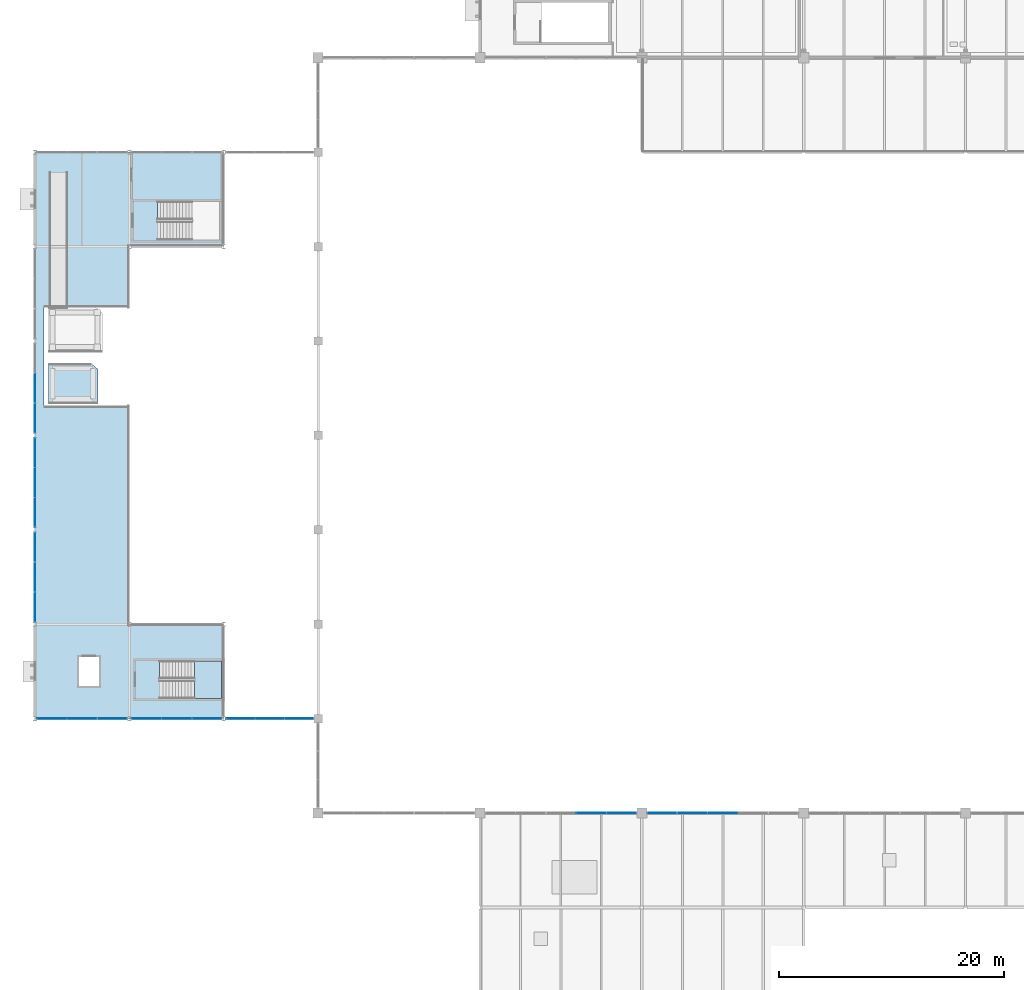
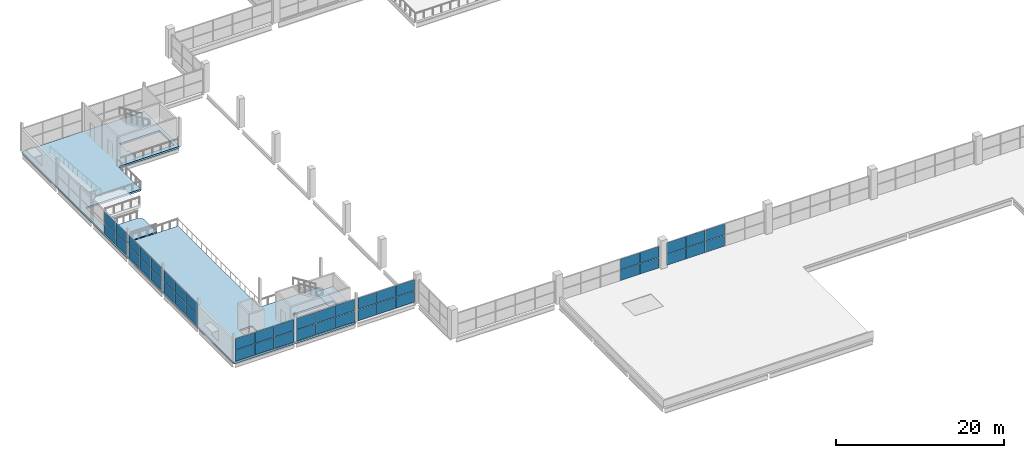
# One storey, part 69 of 93: 44 plates, 3 slabs, 9 elements without a shape of their own.
"""IFC4 building model written with IfcOpenShell, lengths in metres."""

from ifc_helpers import new_model, si_unit, direction, frame, origin, origin_2d, place, context, subcontext, project, spatial, polyline, rectangle, outline, extrude, material, layer, layer_set, type_object, element, aggregate, save


model = new_model("IFC4")

# Units and contexts
model_context = context("Model", 3, precision=1e-05, world=origin(), true_north=direction((0.0, 1.0)))
body_context = subcontext(model_context, "Body", "Model", "MODEL_VIEW")
ifc_project = project(units=[si_unit("LENGTHUNIT", "METRE"), si_unit("AREAUNIT", "SQUARE_METRE"), si_unit("VOLUMEUNIT", "CUBIC_METRE"), si_unit("PLANEANGLEUNIT", "RADIAN"), si_unit("MASSUNIT", "GRAM", prefix="KILO"), si_unit("THERMODYNAMICTEMPERATUREUNIT", "KELVIN")], contexts=[model_context])

# Site, building, storey
site_placement = place(None, origin())
site = spatial("IfcSite", under=ifc_project, at=site_placement, CompositionType="ELEMENT")
building_placement = place(site_placement, origin())
building = spatial("IfcBuilding", under=site, at=building_placement, Name="Nduvali Passage Aquatics Centre", CompositionType="ELEMENT")
storey_placement = place(building_placement, frame((0.0, 0.0, 9.0)))
storey = spatial("IfcBuildingStorey", under=building, at=storey_placement, Name="L02", CompositionType="ELEMENT", Elevation=9.0)

# Curtain wall, plates
ifc_material_1 = material(Name="Aluminium EN AW-6063 T6", Category="aluminium")
curtain_wall_type_1 = type_object("IfcCurtainWallType", Name="ENV-CW-CLER", PredefinedType="NOTDEFINED", material=ifc_material_1)
curtain_wall_1_placement = place(storey_placement, origin())
curtain_wall_1 = element("IfcCurtainWall", 1, at=curtain_wall_1_placement, inside=storey, type_object=curtain_wall_type_1, Name="L02 South Pool Hall Eave Clerestory 047", PredefinedType="NOTDEFINED")
ifc_material_2 = material(Name="Laminated solar-control low-E IGU")
ifc_layer_1 = layer(ifc_material_2, 0.031982421875, Name="Laminated solar-control low-E IGU")
ifc_layer_set_1 = layer_set([ifc_layer_1], Name="Laminated solar-control low-E IGU")
plate_type = type_object("IfcPlateType", Name="ENV-PLT-GLZ32", PredefinedType="CURTAIN_PANEL", material=ifc_layer_set_1)
plate_1_placement = place(storey_placement, frame((49.5, 25.199951171875, 0.06005859375), z_axis=(0.0, 0.0, 1.0), x_axis=(1.0, 0.0, 0.0)))
plate_1 = element("IfcPlate", 2, at=plate_1_placement, type_object=plate_type, Name="South Pool Hall Eave Clerestory Glazed Panel B4-R1", PredefinedType="CURTAIN_PANEL", context=body_context, shape_type="SweptSolid", body=[
    extrude(rectangle(XDim=2.639892578125, YDim=0.031982421875, at=origin_2d()), origin(), (0.0, 0.0, 1.0), 1.541259765625),
])
plate_2_placement = place(storey_placement, frame((49.5, 25.199951171875, 1.6611328125), z_axis=(0.0, 0.0, 1.0), x_axis=(1.0, 0.0, 0.0)))
plate_2 = element("IfcPlate", 3, at=plate_2_placement, type_object=plate_type, Name="South Pool Hall Eave Clerestory Glazed Panel B4-R2", PredefinedType="CURTAIN_PANEL", context=body_context, shape_type="SweptSolid", body=[
    extrude(rectangle(XDim=2.639892578125, YDim=0.031982421875, at=origin_2d()), origin(), (0.0, 0.0, 1.0), 1.541259765625),
])
plate_3_placement = place(storey_placement, frame((52.18505859375, 25.199951171875, 0.06005859375), z_axis=(0.0, 0.0, 1.0), x_axis=(1.0, 0.0, 0.0)))
plate_3 = element("IfcPlate", 4, at=plate_3_placement, type_object=plate_type, Name="South Pool Hall Eave Clerestory Glazed Panel B5-R1", PredefinedType="CURTAIN_PANEL", context=body_context, shape_type="SweptSolid", body=[
    extrude(rectangle(XDim=2.610107421875, YDim=0.031982421875, at=origin_2d()), origin(), (0.0, 0.0, 1.0), 1.541259765625),
])
plate_4_placement = place(storey_placement, frame((52.18505859375, 25.199951171875, 1.6611328125), z_axis=(0.0, 0.0, 1.0), x_axis=(1.0, 0.0, 0.0)))
plate_4 = element("IfcPlate", 5, at=plate_4_placement, type_object=plate_type, Name="South Pool Hall Eave Clerestory Glazed Panel B5-R2", PredefinedType="CURTAIN_PANEL", context=body_context, shape_type="SweptSolid", body=[
    extrude(rectangle(XDim=2.610107421875, YDim=0.031982421875, at=origin_2d()), origin(), (0.0, 0.0, 1.0), 1.541259765625),
])
aggregate(curtain_wall_1, [plate_1, plate_2, plate_3, plate_4])

curtain_wall_2_placement = place(storey_placement, origin())
curtain_wall_2 = element("IfcCurtainWall", 6, at=curtain_wall_2_placement, inside=storey, type_object=curtain_wall_type_1, Name="L02 South Pool Hall Eave Clerestory 048", PredefinedType="NOTDEFINED")
plate_5_placement = place(storey_placement, frame((55.81494140625, 25.199951171875, 0.06005859375), z_axis=(0.0, 0.0, 1.0), x_axis=(1.0, 0.0, 0.0)))
plate_5 = element("IfcPlate", 7, at=plate_5_placement, type_object=plate_type, Name="South Pool Hall Eave Clerestory Glazed Panel B1-R1", PredefinedType="CURTAIN_PANEL", context=body_context, shape_type="SweptSolid", body=[
    extrude(rectangle(XDim=2.610107421875, YDim=0.031982421875, at=origin_2d()), origin(), (0.0, 0.0, 1.0), 1.60693359375),
])
plate_6_placement = place(storey_placement, frame((55.81494140625, 25.199951171875, 1.72705078125), z_axis=(0.0, 0.0, 1.0), x_axis=(1.0, 0.0, 0.0)))
plate_6 = element("IfcPlate", 8, at=plate_6_placement, type_object=plate_type, Name="South Pool Hall Eave Clerestory Glazed Panel B1-R2", PredefinedType="CURTAIN_PANEL", context=body_context, shape_type="SweptSolid", body=[
    extrude(rectangle(XDim=2.610107421875, YDim=0.031982421875, at=origin_2d()), origin(), (0.0, 0.0, 1.0), 1.60693359375),
])
plate_7_placement = place(storey_placement, frame((58.5, 25.199951171875, 0.06005859375), z_axis=(0.0, 0.0, 1.0), x_axis=(1.0, 0.0, 0.0)))
plate_7 = element("IfcPlate", 9, at=plate_7_placement, type_object=plate_type, Name="South Pool Hall Eave Clerestory Glazed Panel B2-R1", PredefinedType="CURTAIN_PANEL", context=body_context, shape_type="SweptSolid", body=[
    extrude(rectangle(XDim=2.639892578125, YDim=0.031982421875, at=origin_2d()), origin(), (0.0, 0.0, 1.0), 1.60693359375),
])
plate_8_placement = place(storey_placement, frame((58.5, 25.199951171875, 1.72705078125), z_axis=(0.0, 0.0, 1.0), x_axis=(1.0, 0.0, 0.0)))
plate_8 = element("IfcPlate", 10, at=plate_8_placement, type_object=plate_type, Name="South Pool Hall Eave Clerestory Glazed Panel B2-R2", PredefinedType="CURTAIN_PANEL", context=body_context, shape_type="SweptSolid", body=[
    extrude(rectangle(XDim=2.639892578125, YDim=0.031982421875, at=origin_2d()), origin(), (0.0, 0.0, 1.0), 1.60693359375),
])
plate_9_placement = place(storey_placement, frame((61.199951171875, 25.199951171875, 0.06005859375), z_axis=(0.0, 0.0, 1.0), x_axis=(1.0, 0.0, 0.0)))
plate_9 = element("IfcPlate", 11, at=plate_9_placement, type_object=plate_type, Name="South Pool Hall Eave Clerestory Glazed Panel B3-R1", PredefinedType="CURTAIN_PANEL", context=body_context, shape_type="SweptSolid", body=[
    extrude(rectangle(XDim=2.639892578125, YDim=0.031982421875, at=origin_2d()), origin(), (0.0, 0.0, 1.0), 1.60693359375),
])
plate_10_placement = place(storey_placement, frame((61.199951171875, 25.199951171875, 1.72705078125), z_axis=(0.0, 0.0, 1.0), x_axis=(1.0, 0.0, 0.0)))
plate_10 = element("IfcPlate", 12, at=plate_10_placement, type_object=plate_type, Name="South Pool Hall Eave Clerestory Glazed Panel B3-R2", PredefinedType="CURTAIN_PANEL", context=body_context, shape_type="SweptSolid", body=[
    extrude(rectangle(XDim=2.639892578125, YDim=0.031982421875, at=origin_2d()), origin(), (0.0, 0.0, 1.0), 1.60693359375),
])
aggregate(curtain_wall_2, [plate_5, plate_6, plate_7, plate_8, plate_9, plate_10])

curtain_wall_type_2 = type_object("IfcCurtainWallType", Name="ENV-CW-DIVE", PredefinedType="NOTDEFINED", material=ifc_material_1)
curtain_wall_3_placement = place(storey_placement, origin())
curtain_wall_3 = element("IfcCurtainWall", 13, at=curtain_wall_3_placement, inside=storey, type_object=curtain_wall_type_2, Name="L02 West Diving High Platform CW 129", PredefinedType="NOTDEFINED")
plate_11_placement = place(storey_placement, frame((0.0, 43.523193359375, 0.06005859375), z_axis=(0.0, 0.0, 1.0), x_axis=(0.0, 1.0, 0.0)))
plate_11 = element("IfcPlate", 14, at=plate_11_placement, type_object=plate_type, Name="West Diving High Platform CW Glazed Panel B1-R1", PredefinedType="CURTAIN_PANEL", context=body_context, shape_type="SweptSolid", body=[
    extrude(rectangle(XDim=2.586669921875, YDim=0.031982421875, at=origin_2d()), origin(), (0.0, 0.0, 1.0), 1.61328125),
])
plate_12_placement = place(storey_placement, frame((0.0, 43.523193359375, 1.733154296875), z_axis=(0.0, 0.0, 1.0), x_axis=(0.0, 1.0, 0.0)))
plate_12 = element("IfcPlate", 15, at=plate_12_placement, type_object=plate_type, Name="West Diving High Platform CW Glazed Panel B1-R2", PredefinedType="CURTAIN_PANEL", context=body_context, shape_type="SweptSolid", body=[
    extrude(rectangle(XDim=2.586669921875, YDim=0.031982421875, at=origin_2d()), origin(), (0.0, 0.0, 1.0), 1.61328125),
])
plate_13_placement = place(storey_placement, frame((0.0, 46.18505859375, 0.06005859375), z_axis=(0.0, 0.0, 1.0), x_axis=(0.0, 1.0, 0.0)))
plate_13 = element("IfcPlate", 16, at=plate_13_placement, type_object=plate_type, Name="West Diving High Platform CW Glazed Panel B2-R1", PredefinedType="CURTAIN_PANEL", context=body_context, shape_type="SweptSolid", body=[
    extrude(rectangle(XDim=2.61669921875, YDim=0.031982421875, at=origin_2d()), origin(), (0.0, 0.0, 1.0), 1.61328125),
])
plate_14_placement = place(storey_placement, frame((0.0, 46.18505859375, 1.733154296875), z_axis=(0.0, 0.0, 1.0), x_axis=(0.0, 1.0, 0.0)))
plate_14 = element("IfcPlate", 17, at=plate_14_placement, type_object=plate_type, Name="West Diving High Platform CW Glazed Panel B2-R2", PredefinedType="CURTAIN_PANEL", context=body_context, shape_type="SweptSolid", body=[
    extrude(rectangle(XDim=2.61669921875, YDim=0.031982421875, at=origin_2d()), origin(), (0.0, 0.0, 1.0), 1.61328125),
])
plate_15_placement = place(storey_placement, frame((0.0, 48.8466796875, 0.06005859375), z_axis=(0.0, 0.0, 1.0), x_axis=(0.0, 1.0, 0.0)))
plate_15 = element("IfcPlate", 18, at=plate_15_placement, type_object=plate_type, Name="West Diving High Platform CW Glazed Panel B3-R1", PredefinedType="CURTAIN_PANEL", context=body_context, shape_type="SweptSolid", body=[
    extrude(rectangle(XDim=2.586669921875, YDim=0.031982421875, at=origin_2d()), origin(), (0.0, 0.0, 1.0), 1.61328125),
])
plate_16_placement = place(storey_placement, frame((0.0, 48.8466796875, 1.733154296875), z_axis=(0.0, 0.0, 1.0), x_axis=(0.0, 1.0, 0.0)))
plate_16 = element("IfcPlate", 19, at=plate_16_placement, type_object=plate_type, Name="West Diving High Platform CW Glazed Panel B3-R2", PredefinedType="CURTAIN_PANEL", context=body_context, shape_type="SweptSolid", body=[
    extrude(rectangle(XDim=2.586669921875, YDim=0.031982421875, at=origin_2d()), origin(), (0.0, 0.0, 1.0), 1.61328125),
])
aggregate(curtain_wall_3, [plate_11, plate_12, plate_13, plate_14, plate_15, plate_16])

curtain_wall_4_placement = place(storey_placement, origin())
curtain_wall_4 = element("IfcCurtainWall", 20, at=curtain_wall_4_placement, inside=storey, type_object=curtain_wall_type_2, Name="L02 West Diving High Platform CW 134", PredefinedType="NOTDEFINED")
plate_17_placement = place(storey_placement, frame((0.0, 51.9482421875, 0.06005859375), z_axis=(0.0, 0.0, 1.0), x_axis=(0.0, 1.0, 0.0)))
plate_17 = element("IfcPlate", 21, at=plate_17_placement, type_object=plate_type, Name="West Diving High Platform CW Glazed Panel B1-R1", PredefinedType="CURTAIN_PANEL", context=body_context, shape_type="SweptSolid", body=[
    extrude(rectangle(XDim=2.57666015625, YDim=0.031982421875, at=origin_2d()), origin(), (0.0, 0.0, 1.0), 1.61328125),
])
plate_18_placement = place(storey_placement, frame((0.0, 51.9482421875, 1.733154296875), z_axis=(0.0, 0.0, 1.0), x_axis=(0.0, 1.0, 0.0)))
plate_18 = element("IfcPlate", 22, at=plate_18_placement, type_object=plate_type, Name="West Diving High Platform CW Glazed Panel B1-R2", PredefinedType="CURTAIN_PANEL", context=body_context, shape_type="SweptSolid", body=[
    extrude(rectangle(XDim=2.57666015625, YDim=0.031982421875, at=origin_2d()), origin(), (0.0, 0.0, 1.0), 1.61328125),
])
plate_19_placement = place(storey_placement, frame((0.0, 54.60009765625, 0.06005859375), z_axis=(0.0, 0.0, 1.0), x_axis=(0.0, 1.0, 0.0)))
plate_19 = element("IfcPlate", 23, at=plate_19_placement, type_object=plate_type, Name="West Diving High Platform CW Glazed Panel B2-R1", PredefinedType="CURTAIN_PANEL", context=body_context, shape_type="SweptSolid", body=[
    extrude(rectangle(XDim=2.606689453125, YDim=0.031982421875, at=origin_2d()), origin(), (0.0, 0.0, 1.0), 1.61328125),
])
plate_20_placement = place(storey_placement, frame((0.0, 54.60009765625, 1.733154296875), z_axis=(0.0, 0.0, 1.0), x_axis=(0.0, 1.0, 0.0)))
plate_20 = element("IfcPlate", 24, at=plate_20_placement, type_object=plate_type, Name="West Diving High Platform CW Glazed Panel B2-R2", PredefinedType="CURTAIN_PANEL", context=body_context, shape_type="SweptSolid", body=[
    extrude(rectangle(XDim=2.606689453125, YDim=0.031982421875, at=origin_2d()), origin(), (0.0, 0.0, 1.0), 1.61328125),
])
plate_21_placement = place(storey_placement, frame((0.0, 57.251708984375, 0.06005859375), z_axis=(0.0, 0.0, 1.0), x_axis=(0.0, 1.0, 0.0)))
plate_21 = element("IfcPlate", 25, at=plate_21_placement, type_object=plate_type, Name="West Diving High Platform CW Glazed Panel B3-R1", PredefinedType="CURTAIN_PANEL", context=body_context, shape_type="SweptSolid", body=[
    extrude(rectangle(XDim=2.57666015625, YDim=0.031982421875, at=origin_2d()), origin(), (0.0, 0.0, 1.0), 1.61328125),
])
plate_22_placement = place(storey_placement, frame((0.0, 57.251708984375, 1.733154296875), z_axis=(0.0, 0.0, 1.0), x_axis=(0.0, 1.0, 0.0)))
plate_22 = element("IfcPlate", 26, at=plate_22_placement, type_object=plate_type, Name="West Diving High Platform CW Glazed Panel B3-R2", PredefinedType="CURTAIN_PANEL", context=body_context, shape_type="SweptSolid", body=[
    extrude(rectangle(XDim=2.57666015625, YDim=0.031982421875, at=origin_2d()), origin(), (0.0, 0.0, 1.0), 1.61328125),
])
aggregate(curtain_wall_4, [plate_17, plate_18, plate_19, plate_20, plate_21, plate_22])

curtain_wall_5_placement = place(storey_placement, origin())
curtain_wall_5 = element("IfcCurtainWall", 27, at=curtain_wall_5_placement, inside=storey, type_object=curtain_wall_type_2, Name="L02 West Diving High Platform CW 139", PredefinedType="NOTDEFINED")
plate_23_placement = place(storey_placement, frame((0.0, 60.348388671875, 0.06005859375), z_axis=(0.0, 0.0, 1.0), x_axis=(0.0, 1.0, 0.0)))
plate_23 = element("IfcPlate", 28, at=plate_23_placement, type_object=plate_type, Name="West Diving High Platform CW Glazed Panel B1-R1", PredefinedType="CURTAIN_PANEL", context=body_context, shape_type="SweptSolid", body=[
    extrude(rectangle(XDim=2.57666015625, YDim=0.031982421875, at=origin_2d()), origin(), (0.0, 0.0, 1.0), 1.61328125),
])
plate_24_placement = place(storey_placement, frame((0.0, 60.348388671875, 1.733154296875), z_axis=(0.0, 0.0, 1.0), x_axis=(0.0, 1.0, 0.0)))
plate_24 = element("IfcPlate", 29, at=plate_24_placement, type_object=plate_type, Name="West Diving High Platform CW Glazed Panel B1-R2", PredefinedType="CURTAIN_PANEL", context=body_context, shape_type="SweptSolid", body=[
    extrude(rectangle(XDim=2.57666015625, YDim=0.031982421875, at=origin_2d()), origin(), (0.0, 0.0, 1.0), 1.61328125),
])
plate_25_placement = place(storey_placement, frame((0.0, 63.0, 0.06005859375), z_axis=(0.0, 0.0, 1.0), x_axis=(0.0, 1.0, 0.0)))
plate_25 = element("IfcPlate", 30, at=plate_25_placement, type_object=plate_type, Name="West Diving High Platform CW Glazed Panel B2-R1", PredefinedType="CURTAIN_PANEL", context=body_context, shape_type="SweptSolid", body=[
    extrude(rectangle(XDim=2.606689453125, YDim=0.031982421875, at=origin_2d()), origin(), (0.0, 0.0, 1.0), 1.61328125),
])
plate_26_placement = place(storey_placement, frame((0.0, 63.0, 1.733154296875), z_axis=(0.0, 0.0, 1.0), x_axis=(0.0, 1.0, 0.0)))
plate_26 = element("IfcPlate", 31, at=plate_26_placement, type_object=plate_type, Name="West Diving High Platform CW Glazed Panel B2-R2", PredefinedType="CURTAIN_PANEL", context=body_context, shape_type="SweptSolid", body=[
    extrude(rectangle(XDim=2.606689453125, YDim=0.031982421875, at=origin_2d()), origin(), (0.0, 0.0, 1.0), 1.61328125),
])
aggregate(curtain_wall_5, [plate_23, plate_24, plate_25, plate_26])

curtain_wall_6_placement = place(storey_placement, origin())
curtain_wall_6 = element("IfcCurtainWall", 32, at=curtain_wall_6_placement, inside=storey, type_object=curtain_wall_type_2, Name="L02 Diving Side Clerestory CW 148", PredefinedType="NOTDEFINED")
plate_27_placement = place(storey_placement, frame((1.514892578125, 33.60009765625, 0.06005859375), z_axis=(0.0, 0.0, 1.0), x_axis=(1.0, 0.0, 0.0)))
plate_27 = element("IfcPlate", 33, at=plate_27_placement, type_object=plate_type, Name="Diving Side Clerestory CW Glazed Panel B1-R1", PredefinedType="CURTAIN_PANEL", context=body_context, shape_type="SweptSolid", body=[
    extrude(rectangle(XDim=2.610107421875, YDim=0.031982421875, at=origin_2d()), origin(), (0.0, 0.0, 1.0), 1.616455078125),
])
plate_28_placement = place(storey_placement, frame((1.514892578125, 33.60009765625, 1.736328125), z_axis=(0.0, 0.0, 1.0), x_axis=(1.0, 0.0, 0.0)))
plate_28 = element("IfcPlate", 34, at=plate_28_placement, type_object=plate_type, Name="Diving Side Clerestory CW Glazed Panel B1-R2", PredefinedType="CURTAIN_PANEL", context=body_context, shape_type="SweptSolid", body=[
    extrude(rectangle(XDim=2.610107421875, YDim=0.031982421875, at=origin_2d()), origin(), (0.0, 0.0, 1.0), 1.616455078125),
])
plate_29_placement = place(storey_placement, frame((4.199951171875, 33.60009765625, 0.06005859375), z_axis=(0.0, 0.0, 1.0), x_axis=(1.0, 0.0, 0.0)))
plate_29 = element("IfcPlate", 35, at=plate_29_placement, type_object=plate_type, Name="Diving Side Clerestory CW Glazed Panel B2-R1", PredefinedType="CURTAIN_PANEL", context=body_context, shape_type="SweptSolid", body=[
    extrude(rectangle(XDim=2.639892578125, YDim=0.031982421875, at=origin_2d()), origin(), (0.0, 0.0, 1.0), 1.616455078125),
])
plate_30_placement = place(storey_placement, frame((4.199951171875, 33.60009765625, 1.736328125), z_axis=(0.0, 0.0, 1.0), x_axis=(1.0, 0.0, 0.0)))
plate_30 = element("IfcPlate", 36, at=plate_30_placement, type_object=plate_type, Name="Diving Side Clerestory CW Glazed Panel B2-R2", PredefinedType="CURTAIN_PANEL", context=body_context, shape_type="SweptSolid", body=[
    extrude(rectangle(XDim=2.639892578125, YDim=0.031982421875, at=origin_2d()), origin(), (0.0, 0.0, 1.0), 1.616455078125),
])
plate_31_placement = place(storey_placement, frame((6.885009765625, 33.60009765625, 0.06005859375), z_axis=(0.0, 0.0, 1.0), x_axis=(1.0, 0.0, 0.0)))
plate_31 = element("IfcPlate", 37, at=plate_31_placement, type_object=plate_type, Name="Diving Side Clerestory CW Glazed Panel B3-R1", PredefinedType="CURTAIN_PANEL", context=body_context, shape_type="SweptSolid", body=[
    extrude(rectangle(XDim=2.610107421875, YDim=0.031982421875, at=origin_2d()), origin(), (0.0, 0.0, 1.0), 1.616455078125),
])
plate_32_placement = place(storey_placement, frame((6.885009765625, 33.60009765625, 1.736328125), z_axis=(0.0, 0.0, 1.0), x_axis=(1.0, 0.0, 0.0)))
plate_32 = element("IfcPlate", 38, at=plate_32_placement, type_object=plate_type, Name="Diving Side Clerestory CW Glazed Panel B3-R2", PredefinedType="CURTAIN_PANEL", context=body_context, shape_type="SweptSolid", body=[
    extrude(rectangle(XDim=2.610107421875, YDim=0.031982421875, at=origin_2d()), origin(), (0.0, 0.0, 1.0), 1.616455078125),
])
aggregate(curtain_wall_6, [plate_27, plate_28, plate_29, plate_30, plate_31, plate_32])

curtain_wall_7_placement = place(storey_placement, origin())
curtain_wall_7 = element("IfcCurtainWall", 39, at=curtain_wall_7_placement, inside=storey, type_object=curtain_wall_type_2, Name="L02 Diving Side Clerestory CW 150", PredefinedType="NOTDEFINED")
plate_33_placement = place(storey_placement, frame((9.9150390625, 33.60009765625, 0.06005859375), z_axis=(0.0, 0.0, 1.0), x_axis=(1.0, 0.0, 0.0)))
plate_33 = element("IfcPlate", 40, at=plate_33_placement, type_object=plate_type, Name="Diving Side Clerestory CW Glazed Panel B1-R1", PredefinedType="CURTAIN_PANEL", context=body_context, shape_type="SweptSolid", body=[
    extrude(rectangle(XDim=2.610107421875, YDim=0.031982421875, at=origin_2d()), origin(), (0.0, 0.0, 1.0), 1.616455078125),
])
plate_34_placement = place(storey_placement, frame((9.9150390625, 33.60009765625, 1.736328125), z_axis=(0.0, 0.0, 1.0), x_axis=(1.0, 0.0, 0.0)))
plate_34 = element("IfcPlate", 41, at=plate_34_placement, type_object=plate_type, Name="Diving Side Clerestory CW Glazed Panel B1-R2", PredefinedType="CURTAIN_PANEL", context=body_context, shape_type="SweptSolid", body=[
    extrude(rectangle(XDim=2.610107421875, YDim=0.031982421875, at=origin_2d()), origin(), (0.0, 0.0, 1.0), 1.616455078125),
])
plate_35_placement = place(storey_placement, frame((12.60009765625, 33.60009765625, 0.06005859375), z_axis=(0.0, 0.0, 1.0), x_axis=(1.0, 0.0, 0.0)))
plate_35 = element("IfcPlate", 42, at=plate_35_placement, type_object=plate_type, Name="Diving Side Clerestory CW Glazed Panel B2-R1", PredefinedType="CURTAIN_PANEL", context=body_context, shape_type="SweptSolid", body=[
    extrude(rectangle(XDim=2.639892578125, YDim=0.031982421875, at=origin_2d()), origin(), (0.0, 0.0, 1.0), 1.616455078125),
])
plate_36_placement = place(storey_placement, frame((12.60009765625, 33.60009765625, 1.736328125), z_axis=(0.0, 0.0, 1.0), x_axis=(1.0, 0.0, 0.0)))
plate_36 = element("IfcPlate", 43, at=plate_36_placement, type_object=plate_type, Name="Diving Side Clerestory CW Glazed Panel B2-R2", PredefinedType="CURTAIN_PANEL", context=body_context, shape_type="SweptSolid", body=[
    extrude(rectangle(XDim=2.639892578125, YDim=0.031982421875, at=origin_2d()), origin(), (0.0, 0.0, 1.0), 1.616455078125),
])
plate_37_placement = place(storey_placement, frame((15.284912109375, 33.60009765625, 0.06005859375), z_axis=(0.0, 0.0, 1.0), x_axis=(1.0, 0.0, 0.0)))
plate_37 = element("IfcPlate", 44, at=plate_37_placement, type_object=plate_type, Name="Diving Side Clerestory CW Glazed Panel B3-R1", PredefinedType="CURTAIN_PANEL", context=body_context, shape_type="SweptSolid", body=[
    extrude(rectangle(XDim=2.610107421875, YDim=0.031982421875, at=origin_2d()), origin(), (0.0, 0.0, 1.0), 1.616455078125),
])
plate_38_placement = place(storey_placement, frame((15.284912109375, 33.60009765625, 1.736328125), z_axis=(0.0, 0.0, 1.0), x_axis=(1.0, 0.0, 0.0)))
plate_38 = element("IfcPlate", 45, at=plate_38_placement, type_object=plate_type, Name="Diving Side Clerestory CW Glazed Panel B3-R2", PredefinedType="CURTAIN_PANEL", context=body_context, shape_type="SweptSolid", body=[
    extrude(rectangle(XDim=2.610107421875, YDim=0.031982421875, at=origin_2d()), origin(), (0.0, 0.0, 1.0), 1.616455078125),
])
aggregate(curtain_wall_7, [plate_33, plate_34, plate_35, plate_36, plate_37, plate_38])

curtain_wall_8_placement = place(storey_placement, origin())
curtain_wall_8 = element("IfcCurtainWall", 46, at=curtain_wall_8_placement, inside=storey, type_object=curtain_wall_type_2, Name="L02 Diving Side Clerestory CW 152", PredefinedType="NOTDEFINED")
plate_39_placement = place(storey_placement, frame((18.277587890625, 33.60009765625, 0.06005859375), z_axis=(0.0, 0.0, 1.0), x_axis=(1.0, 0.0, 0.0)))
plate_39 = element("IfcPlate", 47, at=plate_39_placement, type_object=plate_type, Name="Diving Side Clerestory CW Glazed Panel B1-R1", PredefinedType="CURTAIN_PANEL", context=body_context, shape_type="SweptSolid", body=[
    extrude(rectangle(XDim=2.534912109375, YDim=0.031982421875, at=origin_2d()), origin(), (0.0, 0.0, 1.0), 1.616455078125),
])
plate_40_placement = place(storey_placement, frame((18.277587890625, 33.60009765625, 1.736328125), z_axis=(0.0, 0.0, 1.0), x_axis=(1.0, 0.0, 0.0)))
plate_40 = element("IfcPlate", 48, at=plate_40_placement, type_object=plate_type, Name="Diving Side Clerestory CW Glazed Panel B1-R2", PredefinedType="CURTAIN_PANEL", context=body_context, shape_type="SweptSolid", body=[
    extrude(rectangle(XDim=2.534912109375, YDim=0.031982421875, at=origin_2d()), origin(), (0.0, 0.0, 1.0), 1.616455078125),
])
plate_41_placement = place(storey_placement, frame((20.887451171875, 33.60009765625, 0.06005859375), z_axis=(0.0, 0.0, 1.0), x_axis=(1.0, 0.0, 0.0)))
plate_41 = element("IfcPlate", 49, at=plate_41_placement, type_object=plate_type, Name="Diving Side Clerestory CW Glazed Panel B2-R1", PredefinedType="CURTAIN_PANEL", context=body_context, shape_type="SweptSolid", body=[
    extrude(rectangle(XDim=2.56494140625, YDim=0.031982421875, at=origin_2d()), origin(), (0.0, 0.0, 1.0), 1.616455078125),
])
plate_42_placement = place(storey_placement, frame((20.887451171875, 33.60009765625, 1.736328125), z_axis=(0.0, 0.0, 1.0), x_axis=(1.0, 0.0, 0.0)))
plate_42 = element("IfcPlate", 50, at=plate_42_placement, type_object=plate_type, Name="Diving Side Clerestory CW Glazed Panel B2-R2", PredefinedType="CURTAIN_PANEL", context=body_context, shape_type="SweptSolid", body=[
    extrude(rectangle(XDim=2.56494140625, YDim=0.031982421875, at=origin_2d()), origin(), (0.0, 0.0, 1.0), 1.616455078125),
])
plate_43_placement = place(storey_placement, frame((23.49755859375, 33.60009765625, 0.06005859375), z_axis=(0.0, 0.0, 1.0), x_axis=(1.0, 0.0, 0.0)))
plate_43 = element("IfcPlate", 51, at=plate_43_placement, type_object=plate_type, Name="Diving Side Clerestory CW Glazed Panel B3-R1", PredefinedType="CURTAIN_PANEL", context=body_context, shape_type="SweptSolid", body=[
    extrude(rectangle(XDim=2.534912109375, YDim=0.031982421875, at=origin_2d()), origin(), (0.0, 0.0, 1.0), 1.616455078125),
])
plate_44_placement = place(storey_placement, frame((23.49755859375, 33.60009765625, 1.736328125), z_axis=(0.0, 0.0, 1.0), x_axis=(1.0, 0.0, 0.0)))
plate_44 = element("IfcPlate", 52, at=plate_44_placement, type_object=plate_type, Name="Diving Side Clerestory CW Glazed Panel B3-R2", PredefinedType="CURTAIN_PANEL", context=body_context, shape_type="SweptSolid", body=[
    extrude(rectangle(XDim=2.534912109375, YDim=0.031982421875, at=origin_2d()), origin(), (0.0, 0.0, 1.0), 1.616455078125),
])
aggregate(curtain_wall_8, [plate_39, plate_40, plate_41, plate_42, plate_43, plate_44])

# Stair, slab
ifc_material_3 = material(Name="Concrete C40/50", Category="concrete")
stair_type = type_object("IfcStairType", Name="INT-STR-CORE160", PredefinedType="HALF_TURN_STAIR", material=ifc_material_3)
stair_placement = place(storey_placement, origin())
stair = element("IfcStair", 53, at=stair_placement, inside=storey, type_object=stair_type, Name="L02 ST9", PredefinedType="HALF_TURN_STAIR")
ifc_layer_2 = layer(ifc_material_3, 0.219970703125, Name="Concrete C40/50")
ifc_layer_set_2 = layer_set([ifc_layer_2], Name="Concrete C40/50")
slab_type_1 = type_object("IfcSlabType", Name="INT-SLB-LAND170", PredefinedType="LANDING", material=ifc_layer_set_2)
slab_1_placement = place(storey_placement, frame((0.0, 0.0, 1.8798828125)))
slab_1 = element("IfcSlab", 54, at=slab_1_placement, type_object=slab_type_1, Name="ST9 landing 1", PredefinedType="LANDING", context=body_context, shape_type="SweptSolid", body=[
    extrude(outline(polyline([(14.179931640625, 35.39990234375), (16.60009765625, 35.39990234375), (16.60009765625, 38.75), (14.179931640625, 38.75), (14.179931640625, 35.39990234375)])), origin(), (0.0, 0.0, 1.0), 0.22021484375),
])
aggregate(stair, [slab_1])

# Slabs
ifc_layer_3 = layer(ifc_material_3, 0.3798828125, Name="Concrete C40/50")
ifc_layer_set_3 = layer_set([ifc_layer_3], Name="Concrete C40/50")
slab_type_2 = type_object("IfcSlabType", Name="STR-SLB-DIVE380", PredefinedType="FLOOR", material=ifc_layer_set_3)
slab_2_placement = place(storey_placement, frame((0.0, 0.0, -0.3798828125)))
element("IfcSlab", 55, at=slab_2_placement, inside=storey, type_object=slab_type_2, Name="Diving Tower 7P5M Platform Slab", PredefinedType="FLOOR", context=body_context, shape_type="SweptSolid", body=[
    extrude(outline(polyline([(1.199951171875, 61.60009765625), (5.60009765625, 61.60009765625), (5.60009765625, 64.699951171875), (5.0, 65.199951171875), (1.199951171875, 65.199951171875), (1.199951171875, 61.60009765625)])), origin(), (0.0, 0.0, 1.0), 0.3798828125),
])
ifc_layer_4 = layer(ifc_material_3, 0.260009765625, Name="Concrete C40/50")
ifc_layer_set_4 = layer_set([ifc_layer_4], Name="Concrete C40/50")
slab_type_3 = type_object("IfcSlabType", Name="STR-SLB-FLR260", PredefinedType="FLOOR", material=ifc_layer_set_4)
slab_3_placement = place(storey_placement, frame((0.0, 0.0, -0.260009765625)))
element("IfcSlab", 56, at=slab_3_placement, inside=storey, type_object=slab_type_3, Name="L02 Diving Platform Access and Judges Gallery Slab", PredefinedType="FLOOR", context=body_context, shape_type="SweptSolid", body=[
    extrude(outline(polyline([(0.0, 33.60009765625), (16.800048828125, 33.60009765625), (16.800048828125, 42.0), (8.39990234375, 42.0), (8.39990234375, 61.39990234375), (0.800048828125, 61.39990234375), (0.800048828125, 70.199951171875), (8.39990234375, 70.199951171875), (8.39990234375, 75.60009765625), (16.800048828125, 75.60009765625), (16.800048828125, 84.0), (0.0, 84.0), (0.0, 33.60009765625)]), holes=[polyline([(11.3798828125, 35.39990234375), (16.60009765625, 35.39990234375), (16.60009765625, 38.75), (11.10009765625, 38.75), (11.10009765625, 37.0), (11.3798828125, 37.0), (11.3798828125, 35.39990234375)]), polyline([(11.179931640625, 76.199951171875), (16.39990234375, 76.199951171875), (16.39990234375, 79.6298828125), (10.89990234375, 79.6298828125), (10.89990234375, 77.840087890625), (11.179931640625, 77.840087890625), (11.179931640625, 76.199951171875)]), polyline([(3.919921875, 36.52001953125), (5.679931640625, 36.52001953125), (5.679931640625, 39.080078125), (3.919921875, 39.080078125), (3.919921875, 36.52001953125)])]), origin(), (0.0, 0.0, 1.0), 0.260009765625),
])

save(model, "model.ifc")
